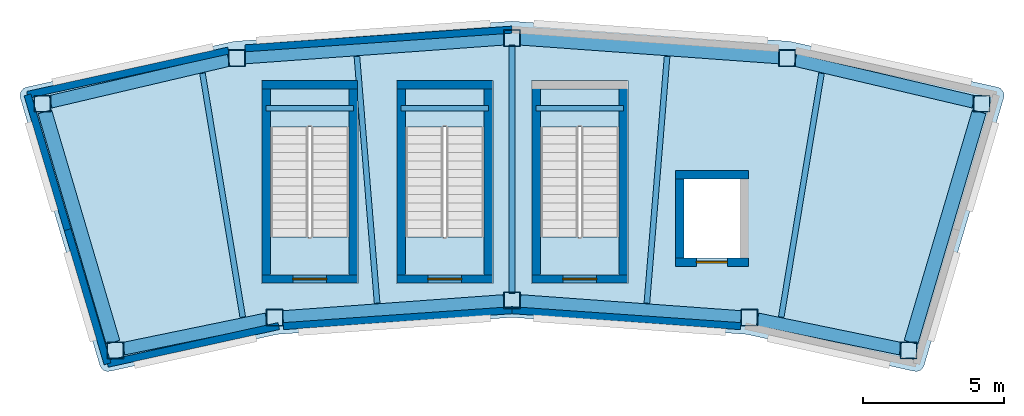
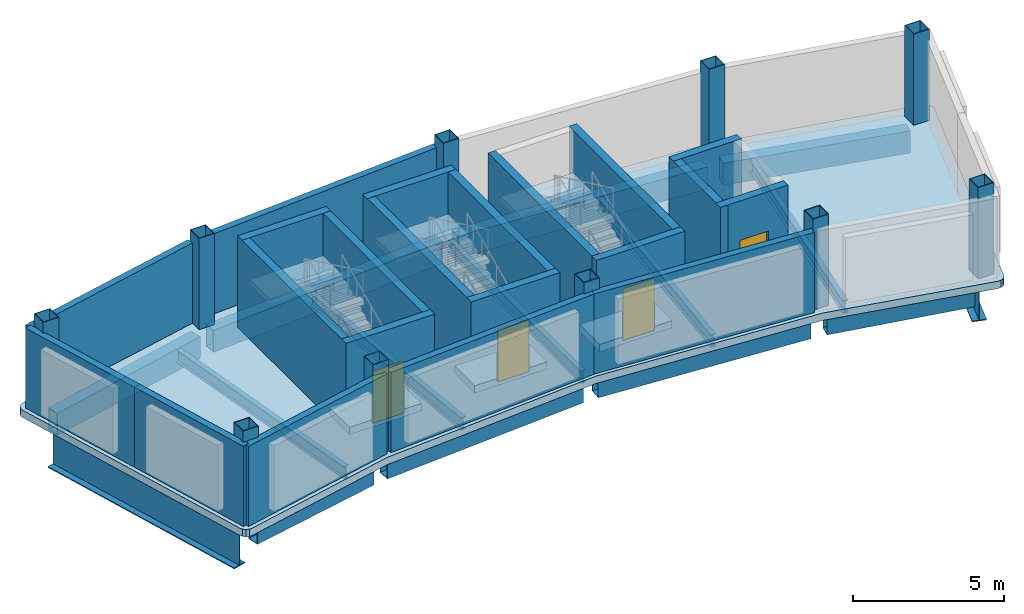
# One storey, part 1 of 3: 21 walls, 18 beams, 10 columns, 7 slabs, 4 doors, 4 openings, 3 elements without a shape of their own.
"""IFC4 building model written with IfcOpenShell, lengths in metres."""

import ifcopenshell
import ifcopenshell.guid

model = None  # the IFC model being written
_history = None  # IfcOwnerHistory: only IFC2X3 demands one
_inside = {}  # id of a spatial element -> (the spatial element, [elements in it])
_under = {}  # id of a project, library or spatial element -> (it, [spatial elements below it])
_declared = {}  # id of a project -> (the project, [libraries it declares])
_typed = {}  # id of a type object -> (the type object, [elements of that type])
_made_of = {}  # id of a material, layer set ... -> (it, [elements and type objects made of it])


def new_model(schema):
    """Start an empty IFC model of exactly this schema.

    Asked for "IFC4X3", IfcOpenShell would pick the latest addendum, in which some entities
    have other attributes; the version numbers below select the first issue.
    IFC2X3 requires an IfcOwnerHistory on every rooted entity: one is made here for all.
    """
    global model, _history
    if schema == "IFC4X3":
        model = ifcopenshell.file(schema_version=(4, 3, 0, 0))
    else:
        model = ifcopenshell.file(schema=schema)
    _inside.clear()
    _under.clear()
    _declared.clear()
    _typed.clear()
    _made_of.clear()
    _history = None
    if model.schema == "IFC2X3":
        org = make("IfcOrganization", Name="unknown")
        user = make(
            "IfcPersonAndOrganization",
            ThePerson=make("IfcPerson", FamilyName="unknown"),
            TheOrganization=org,
        )
        app = make(
            "IfcApplication",
            ApplicationDeveloper=org,
            Version="unknown",
            ApplicationFullName="unknown",
            ApplicationIdentifier="unknown",
        )
        _history = make(
            "IfcOwnerHistory",
            OwningUser=user,
            OwningApplication=app,
            ChangeAction="ADDED",
            CreationDate=0,
        )
    return model


def make(cls, **values):
    """One entity of the class cls with the attributes given. An attribute that is None is left unset."""
    return model.create_entity(
        cls, **{name: value for name, value in values.items() if value is not None}
    )


def rooted(cls, **values):
    """An entity with a GlobalId (a new one), such as an element, a storey or a relation."""
    return make(cls, GlobalId=ifcopenshell.guid.new(), OwnerHistory=_history, **values)


def si_unit(unit_type, name, prefix=None):
    """IfcSIUnit, for example si_unit("LENGTHUNIT", "METRE", prefix="MILLI")."""
    return make("IfcSIUnit", UnitType=unit_type, Prefix=prefix, Name=name)


def assignment(units):
    """IfcUnitAssignment: the units of a project."""
    return None if units is None else make("IfcUnitAssignment", Units=units)


def point(xyz):
    """IfcCartesianPoint."""
    return None if xyz is None else make("IfcCartesianPoint", Coordinates=xyz)


def direction(xyz):
    """IfcDirection."""
    return None if xyz is None else make("IfcDirection", DirectionRatios=xyz)


def frame(location, z_axis=None, x_axis=None):
    """IfcAxis2Placement3D, a coordinate frame: its origin and axes. An axis left out is left unset."""
    return make(
        "IfcAxis2Placement3D",
        Location=point(location),
        Axis=direction(z_axis),
        RefDirection=direction(x_axis),
    )


def frame_2d(location, x_axis=None):
    """IfcAxis2Placement2D, a coordinate frame in the plane: its origin and x axis."""
    return make(
        "IfcAxis2Placement2D", Location=point(location), RefDirection=direction(x_axis)
    )


def origin():
    """The frame at (0, 0, 0) with its axes left unset."""
    return frame((0.0, 0.0, 0.0))


def origin_2d():
    """The frame at (0, 0) in the plane with its x axis left unset."""
    return frame_2d((0.0, 0.0))


def place(relative_to, where):
    """IfcLocalPlacement: puts the frame where relative to a parent placement (None: the world)."""
    return make(
        "IfcLocalPlacement", PlacementRelTo=relative_to, RelativePlacement=where
    )


def context(
    kind, dimensions, precision=None, world=None, true_north=None, identifier=None
):
    """IfcGeometricRepresentationContext, for example the 3D "Model" context."""
    return make(
        "IfcGeometricRepresentationContext",
        ContextIdentifier=identifier,
        ContextType=kind,
        CoordinateSpaceDimension=dimensions,
        Precision=precision,
        WorldCoordinateSystem=world,
        TrueNorth=true_north,
    )


def subcontext(parent, identifier, kind, view, scale=None):
    """IfcGeometricRepresentationSubContext, for example "Body" below "Model"."""
    return make(
        "IfcGeometricRepresentationSubContext",
        ContextIdentifier=identifier,
        ContextType=kind,
        ParentContext=parent,
        TargetScale=scale,
        TargetView=view,
    )


def project(units=None, contexts=None):
    """IfcProject with its units and contexts."""
    return rooted(
        "IfcProject",
        Name="project",
        RepresentationContexts=contexts,
        UnitsInContext=assignment(units),
    )


def spatial(cls, under=None, at=None, **own):
    """A site, building, storey or space (cls), placed at a placement, below another one or the project."""
    s = rooted(cls, ObjectPlacement=at, **own)
    if under is not None:
        _under.setdefault(under.id(), (under, []))[1].append(s)
    return s


def polyline(points):
    """IfcPolyline through the points."""
    return make("IfcPolyline", Points=[point(p) for p in points])


def profile(cls, at=None, kind="AREA", **sizes):
    """A parametric profile (cls). Its sizes go by their IFC names, for example OverallWidth=200.0."""
    return make(cls, ProfileType=kind, Position=at, **sizes)


def rectangle(**sizes):
    """IfcRectangleProfileDef."""
    return profile("IfcRectangleProfileDef", **sizes)


def hollow_rectangle(**sizes):
    """IfcRectangleHollowProfileDef."""
    return profile("IfcRectangleHollowProfileDef", **sizes)


def i_section(**sizes):
    """IfcIShapeProfileDef."""
    return profile("IfcIShapeProfileDef", **sizes)


def outline(outer, holes=None, kind="AREA"):
    """IfcArbitraryClosedProfileDef: a profile drawn as a closed curve; with holes, ...WithVoids."""
    if holes is None:
        return make("IfcArbitraryClosedProfileDef", ProfileType=kind, OuterCurve=outer)
    return make(
        "IfcArbitraryProfileDefWithVoids",
        ProfileType=kind,
        OuterCurve=outer,
        InnerCurves=holes,
    )


def extrude(swept, where, along, depth):
    """IfcExtrudedAreaSolid: the profile swept, set in the frame where, extruded along a direction by depth."""
    return make(
        "IfcExtrudedAreaSolid",
        SweptArea=swept,
        Position=where,
        ExtrudedDirection=direction(along),
        Depth=depth,
    )


def shape(context_of_items, identifier, shape_type, items):
    """IfcShapeRepresentation: the items that make up one representation, for example the "Body"."""
    return make(
        "IfcShapeRepresentation",
        ContextOfItems=context_of_items,
        RepresentationIdentifier=identifier,
        RepresentationType=shape_type,
        Items=items,
    )


def material(Name=None, Category=None):
    """IfcMaterial."""
    return make("IfcMaterial", Name=Name, Category=Category)


def layer(
    of_material, thickness, ventilated=None, Name=None, Category=None, Priority=None
):
    """IfcMaterialLayer: one layer of a wall or slab, of a material (None: an air gap)."""
    return make(
        "IfcMaterialLayer",
        Material=of_material,
        LayerThickness=thickness,
        IsVentilated=ventilated,
        Name=Name,
        Category=Category,
        Priority=Priority,
    )


def layer_set(layers, Name=None):
    """IfcMaterialLayerSet."""
    return make("IfcMaterialLayerSet", MaterialLayers=layers, LayerSetName=Name)


def material_profile(
    of_material, cross_section, Name=None, Category=None, Priority=None
):
    """IfcMaterialProfile: a cross section and its material."""
    return make(
        "IfcMaterialProfile",
        Name=Name,
        Material=of_material,
        Profile=cross_section,
        Priority=Priority,
        Category=Category,
    )


def profile_set(profiles, Name=None, composite=None):
    """IfcMaterialProfileSet."""
    return make(
        "IfcMaterialProfileSet",
        Name=Name,
        MaterialProfiles=profiles,
        CompositeProfile=composite,
    )


def made_of(thing, what):
    """Note that an element or type object is made of a material, layer set ...; save() writes the relation."""
    if what is not None:
        _made_of.setdefault(what.id(), (what, []))[1].append(thing)
    return thing


def type_object(cls, material=None, **own):
    """A type object (cls), such as IfcWallType, which elements share."""
    return made_of(rooted(cls, **own), material)


def element(
    cls,
    number,
    at=None,
    inside=None,
    cuts=None,
    type_object=None,
    material=None,
    context=None,
    identifier="Body",
    shape_type=None,
    held_by="IfcProductDefinitionShape",
    body=None,
    shapes=None,
    **own,
):
    """One element of the class cls, such as IfcWall. Its Tag is "e" and its number.

    at: its placement. inside: the storey or other place that contains it. cuts: it is an
    opening in that element (IfcRelVoidsElement). A single representation is given by context,
    identifier, shape_type and body (its items); several are given by shapes. held_by: the class
    of the entity that holds the representations. save() writes the other relations.
    """
    e = rooted(cls, Tag="e%d" % number, ObjectPlacement=at, **own)
    if body is not None:
        shapes = [shape(context, identifier, shape_type, body)]
    if shapes is not None:
        e.Representation = make(held_by, Representations=shapes)
    if inside is not None:
        _inside.setdefault(inside.id(), (inside, []))[1].append(e)
    if cuts is not None:
        rooted(
            "IfcRelVoidsElement", RelatingBuildingElement=cuts, RelatedOpeningElement=e
        )
    if type_object is not None:
        _typed.setdefault(type_object.id(), (type_object, []))[1].append(e)
    return made_of(e, material)


def fill(opening, filler):
    """IfcRelFillsElement: the door or window that sits in an opening."""
    return rooted(
        "IfcRelFillsElement",
        RelatingOpeningElement=opening,
        RelatedBuildingElement=filler,
    )


def aggregate(whole, parts):
    """IfcRelAggregates: a whole, such as a stair, and the parts it consists of."""
    return rooted("IfcRelAggregates", RelatingObject=whole, RelatedObjects=parts)


def save(model, path):
    """Write the relations noted so far, then the file.

    IfcRelAggregates (storeys below a building ...), IfcRelContainedInSpatialStructure (elements
    in a storey), IfcRelDefinesByType, IfcRelAssociatesMaterial and IfcRelDeclares: one each for
    every whole, place, type object, material and project.
    """
    for whole, parts in _under.values():
        aggregate(whole, parts)
    for where, things in _inside.values():
        rooted(
            "IfcRelContainedInSpatialStructure",
            RelatedElements=things,
            RelatingStructure=where,
        )
    for kind, things in _typed.values():
        rooted("IfcRelDefinesByType", RelatedObjects=things, RelatingType=kind)
    for what, things in _made_of.values():
        rooted("IfcRelAssociatesMaterial", RelatedObjects=things, RelatingMaterial=what)
    for by, libraries in _declared.values():
        rooted("IfcRelDeclares", RelatingContext=by, RelatedDefinitions=libraries)
    model.write(path)


model = new_model("IFC4")

# Units and contexts
model_context = context("Model", 3, precision=1e-05, world=origin(), true_north=direction((0.0, 1.0)))
body_context = subcontext(model_context, "Body", "Model", "MODEL_VIEW")
ifc_project = project(units=[si_unit("LENGTHUNIT", "METRE"), si_unit("AREAUNIT", "SQUARE_METRE"), si_unit("VOLUMEUNIT", "CUBIC_METRE"), si_unit("PLANEANGLEUNIT", "RADIAN"), si_unit("MASSUNIT", "GRAM", prefix="KILO")], contexts=[model_context])

# Site, building, storey
site_placement = place(None, origin())
site = spatial("IfcSite", under=ifc_project, at=site_placement, CompositionType="ELEMENT")
building_placement = place(site_placement, origin())
building = spatial("IfcBuilding", under=site, at=building_placement, Name="Tuul Gate Civic Tower", CompositionType="ELEMENT")
storey_placement = place(building_placement, frame((0.0, 0.0, 380.10009765625)))
storey = spatial("IfcBuildingStorey", under=building, at=storey_placement, Name="Crown tier 3 upper", CompositionType="ELEMENT", Elevation=380.10009765625)

# Columns
ifc_material_1 = material(Name="Steel S355", Category="steel")
ifc_material_profile_1 = material_profile(ifc_material_1, hollow_rectangle(XDim=0.60009765625, YDim=0.60009765625, WallThickness=0.02490234375, at=origin_2d()), Name="BOX600x600x25")
ifc_profile_set_1 = profile_set([ifc_material_profile_1], Name="Steel S355")
column_type = type_object("IfcColumnType", Name="STR-COLUMN-BOX600x600x25", PredefinedType="COLUMN", material=ifc_profile_set_1)
for number, where, z_axis, x_axis, name in (
    (1, (18.885986328125, 5.48193359375, 0.0), (0.0, 0.0, 1.0), (1.0, 0.0, 0.0), "Column"),
    (2, (11.97509765625, 7.10302734375, 0.0), (0.0, 0.0, 1.0), (1.0, 0.0, 0.0), "Column"),
    (3, (2.19189453125, 7.81201171875, 0.0), (0.0, 0.0, 1.0), (1.0, 0.0, 0.0), "Column"),
    (4, (-7.591064453125, 7.10302734375, 0.0), (0.0, 0.0, 1.0), (1.0, 0.0, 0.0), "Column"),
    (5, (-14.501953125, 5.48193359375, 0.0), (0.0, 0.0, 1.0), (1.0, 0.0, 0.0), "Column"),
    (6, (-11.907958984375, -3.2890625, 0.0), (0.0, 0.0, 1.0), (1.0, 0.0, 0.0), "Column"),
    (7, (-6.2470703125, -2.1240234375, 0.0), (0.0, 0.0, 1.0), (1.0, 0.0, 0.0), "Column"),
    (8, (2.19189453125, -1.511962890625, 0.0), (0.0, 0.0, 1.0), (1.0, 0.0, 0.0), "Column"),
    (9, (10.631103515625, -2.1240234375, 0.0), (0.0, 0.0, 1.0), (1.0, 0.0, 0.0), "Column"),
    (10, (16.2919921875, -3.2890625, 0.0), (0.0, 0.0, 1.0), (1.0, 0.0, 0.0), "Column"),
):
    element("IfcColumn", number, at=place(storey_placement, frame(where, z_axis=z_axis, x_axis=x_axis)), inside=storey, type_object=column_type, Name=name, PredefinedType="COLUMN", context=body_context, shape_type="SweptSolid", body=[
        extrude(hollow_rectangle(XDim=0.60009765625, YDim=0.60009765625, WallThickness=0.02490234375, at=origin_2d()), origin(), (0.0, 0.0, 1.0), 3.699951171875),
    ])

# Beams
ifc_material_2 = material(Name="Steel S355", Category="steel")
ifc_material_profile_2 = material_profile(ifc_material_2, i_section(OverallWidth=0.199951171875, OverallDepth=0.5, WebThickness=0.010009765625, FlangeThickness=0.01611328125, at=origin_2d()), Name="PG500x200x10x16")
ifc_profile_set_2 = profile_set([ifc_material_profile_2], Name="Steel S355")
beam_type_1 = type_object("IfcBeamType", Name="STR-FLOOR BEAM-PG500x200x10x16", PredefinedType="BEAM", material=ifc_profile_set_2)
beam_1_placement = place(storey_placement, frame((11.765380859375, -2.102294921875, -0.550048828125), z_axis=(0.162955793567, 0.98663337129, 0.0), x_axis=(-0.98663337129, 0.162955793567, 0.0)))
element("IfcBeam", 11, at=beam_1_placement, inside=storey, type_object=beam_type_1, Name="Floor beam", PredefinedType="BEAM", context=body_context, shape_type="SweptSolid", body=[
    extrude(i_section(OverallWidth=0.199951171875, OverallDepth=0.5, WebThickness=0.010009765625, FlangeThickness=0.01611328125, at=origin_2d()), origin(), (0.0, 0.0, 1.0), 8.779541015625),
])
beam_2_placement = place(storey_placement, frame((6.987060546875, -1.609130859375, -0.550048828125), z_axis=(0.081729832132, 0.996654521156, 0.0), x_axis=(-0.996654521156, 0.081729832132, 0.0)))
element("IfcBeam", 12, at=beam_2_placement, inside=storey, type_object=beam_type_1, Name="Floor beam", PredefinedType="BEAM", context=body_context, shape_type="SweptSolid", body=[
    extrude(i_section(OverallWidth=0.199951171875, OverallDepth=0.5, WebThickness=0.010009765625, FlangeThickness=0.01611328125, at=origin_2d()), origin(), (0.0, 0.0, 1.0), 8.80029296875),
])
beam_3_placement = place(storey_placement, frame((2.19189453125, -1.26123046875, -0.550048828125), z_axis=(0.0, 1.0, 0.0), x_axis=(-1.0, 0.0, 0.0)))
element("IfcBeam", 13, at=beam_3_placement, inside=storey, type_object=beam_type_1, Name="Floor beam", PredefinedType="BEAM", context=body_context, shape_type="SweptSolid", body=[
    extrude(i_section(OverallWidth=0.199951171875, OverallDepth=0.5, WebThickness=0.010009765625, FlangeThickness=0.01611328125, at=origin_2d()), origin(), (0.0, 0.0, 1.0), 8.822509765625),
])
beam_4_placement = place(storey_placement, frame((-2.60302734375, -1.609130859375, -0.550048828125), z_axis=(-0.081729832132, 0.996654521156, 0.0), x_axis=(-0.996654521156, -0.081729832132, 0.0)))
element("IfcBeam", 14, at=beam_4_placement, inside=storey, type_object=beam_type_1, Name="Floor beam", PredefinedType="BEAM", context=body_context, shape_type="SweptSolid", body=[
    extrude(i_section(OverallWidth=0.199951171875, OverallDepth=0.5, WebThickness=0.010009765625, FlangeThickness=0.01611328125, at=origin_2d()), origin(), (0.0, 0.0, 1.0), 8.80029296875),
])
beam_5_placement = place(storey_placement, frame((-7.381591796875, -2.102294921875, -0.550048828125), z_axis=(-0.162928723661, 0.986637841868, 0.0), x_axis=(-0.986637841868, -0.162928723661, 0.0)))
element("IfcBeam", 15, at=beam_5_placement, inside=storey, type_object=beam_type_1, Name="Floor beam", PredefinedType="BEAM", context=body_context, shape_type="SweptSolid", body=[
    extrude(i_section(OverallWidth=0.199951171875, OverallDepth=0.5, WebThickness=0.010009765625, FlangeThickness=0.01611328125, at=origin_2d()), origin(), (0.0, 0.0, 1.0), 8.779541015625),
])
for number, where, z_axis, x_axis, name in (
    (16, (-6.550048828125, 5.324951171875, 1.5498046875), (1.0, 0.0, 0.0), (0.0, 1.0, 0.0), "Landing support beam"),
    (17, (-1.75, 5.324951171875, 1.5498046875), (1.0, 0.0, 0.0), (0.0, 1.0, 0.0), "Landing support beam"),
):
    element("IfcBeam", number, at=place(storey_placement, frame(where, z_axis=z_axis, x_axis=x_axis)), inside=storey, type_object=beam_type_1, Name=name, PredefinedType="BEAM", context=body_context, shape_type="SweptSolid", body=[
        extrude(i_section(OverallWidth=0.199951171875, OverallDepth=0.5, WebThickness=0.010009765625, FlangeThickness=0.01611328125, at=origin_2d()), origin(), (0.0, 0.0, 1.0), 3.10009765625),
    ])
beam_6_placement = place(storey_placement, frame((3.050048828125, 5.324951171875, 1.5498046875), z_axis=(1.0, 0.0, 0.0), x_axis=(0.0, 1.0, 0.0)))
element("IfcBeam", 18, at=beam_6_placement, inside=storey, type_object=beam_type_1, Name="Landing support beam", PredefinedType="BEAM", context=body_context, shape_type="SweptSolid", body=[
    extrude(i_section(OverallWidth=0.199951171875, OverallDepth=0.5, WebThickness=0.010009765625, FlangeThickness=0.01611328125, at=origin_2d()), origin(), (0.0, 0.0, 1.0), 3.099853515625),
])
ifc_material_3 = material(Name="Steel S355", Category="steel")
ifc_material_profile_3 = material_profile(ifc_material_3, i_section(OverallWidth=0.5, OverallDepth=1.89990234375, WebThickness=0.02490234375, FlangeThickness=0.0400390625, at=origin_2d()), Name="PG1900x500x25x40")
ifc_profile_set_3 = profile_set([ifc_material_profile_3], Name="Steel S355")
beam_type_2 = type_object("IfcBeamType", Name="STR-RING BEAM-PG1900x500x25x40", PredefinedType="BEAM", material=ifc_profile_set_3)
for number, where, z_axis, x_axis, name in (
    (19, (-14.4169921875, 5.1943359375, -1.25), (0.283605873286, -0.958940930734, 0.0), (0.958940930734, 0.283605873286, 0.0), "Spandrel beam"),
    (20, (16.377197265625, -3.001220703125, -1.25), (0.283605873286, 0.958940930734, 0.0), (-0.958940930734, 0.283605873286, 0.0), "Spandrel beam"),
):
    element("IfcBeam", number, at=place(storey_placement, frame(where, z_axis=z_axis, x_axis=x_axis)), inside=storey, type_object=beam_type_2, Name=name, PredefinedType="BEAM", context=body_context, shape_type="SweptSolid", body=[
        extrude(i_section(OverallWidth=0.5, OverallDepth=1.89990234375, WebThickness=0.02490234375, FlangeThickness=0.0400390625, at=origin_2d()), origin(), (0.0, 0.0, 1.0), 8.54638671875),
    ])
ifc_material_4 = material(Name="Steel S355", Category="steel")
ifc_material_profile_4 = material_profile(ifc_material_4, hollow_rectangle(XDim=0.449951171875, YDim=0.89990234375, WallThickness=0.02490234375, at=origin_2d()), Name="BOX900x450x25")
ifc_profile_set_4 = profile_set([ifc_material_profile_4], Name="Steel S355")
beam_type_3 = type_object("IfcBeamType", Name="STR-SPANDREL BEAM-BOX900x450x25", PredefinedType="BEAM", material=ifc_profile_set_4)
beam_7_placement = place(storey_placement, frame((18.593994140625, 5.550537109375, -0.75), z_axis=(-0.973581478384, 0.228339889084, 0.0), x_axis=(-0.228339889084, -0.973581478384, 0.0)))
element("IfcBeam", 21, at=beam_7_placement, inside=storey, type_object=beam_type_3, Name="Spandrel beam", PredefinedType="BEAM", context=body_context, shape_type="SweptSolid", body=[
    extrude(hollow_rectangle(XDim=0.449951171875, YDim=0.89990234375, WallThickness=0.02490234375, at=origin_2d()), origin(), (0.0, 0.0, 1.0), 6.49853515625),
])
for number, where, z_axis, x_axis, name in (
    (22, (11.67578125, 7.124755859375, -0.75), (-0.997384962166, 0.072271967221, 0.0), (-0.072271967221, -0.997384962166, 0.0), "Spandrel beam"),
    (23, (1.892822265625, 7.790283203125, -0.75), (-0.997384962166, -0.072271967221, 0.0), (0.072271967221, -0.997384962166, 0.0), "Spandrel beam"),
):
    element("IfcBeam", number, at=place(storey_placement, frame(where, z_axis=z_axis, x_axis=x_axis)), inside=storey, type_object=beam_type_3, Name=name, PredefinedType="BEAM", context=body_context, shape_type="SweptSolid", body=[
        extrude(hollow_rectangle(XDim=0.449951171875, YDim=0.89990234375, WallThickness=0.02490234375, at=origin_2d()), origin(), (0.0, 0.0, 1.0), 9.208740234375),
    ])
beam_8_placement = place(storey_placement, frame((-7.883056640625, 7.034423828125, -0.75), z_axis=(-0.973581478384, -0.228339889084, 0.0), x_axis=(0.228339889084, -0.973581478384, 0.0)))
element("IfcBeam", 24, at=beam_8_placement, inside=storey, type_object=beam_type_3, Name="Spandrel beam", PredefinedType="BEAM", context=body_context, shape_type="SweptSolid", body=[
    extrude(hollow_rectangle(XDim=0.449951171875, YDim=0.89990234375, WallThickness=0.02490234375, at=origin_2d()), origin(), (0.0, 0.0, 1.0), 6.49853515625),
])
beam_9_placement = place(storey_placement, frame((-11.6142578125, -3.228515625, -0.75), z_axis=(0.979479762781, 0.201542537205, 0.0), x_axis=(-0.201542537205, 0.979479762781, 0.0)))
element("IfcBeam", 25, at=beam_9_placement, inside=storey, type_object=beam_type_3, Name="Spandrel beam", PredefinedType="BEAM", context=body_context, shape_type="SweptSolid", body=[
    extrude(hollow_rectangle(XDim=0.449951171875, YDim=0.89990234375, WallThickness=0.02490234375, at=origin_2d()), origin(), (0.0, 0.0, 1.0), 5.1796875),
])
for number, where, z_axis, x_axis, name in (
    (26, (-5.94775390625, -2.102294921875, -0.75), (0.997380706293, 0.072330676162, 0.0), (-0.072330676162, 0.997380706293, 0.0), "Spandrel beam"),
    (27, (2.4912109375, -1.53369140625, -0.75), (0.997380706293, -0.072330676162, 0.0), (0.072330676162, 0.997380706293, 0.0), "Spandrel beam"),
):
    element("IfcBeam", number, at=place(storey_placement, frame(where, z_axis=z_axis, x_axis=x_axis)), inside=storey, type_object=beam_type_3, Name=name, PredefinedType="BEAM", context=body_context, shape_type="SweptSolid", body=[
        extrude(hollow_rectangle(XDim=0.449951171875, YDim=0.89990234375, WallThickness=0.02490234375, at=origin_2d()), origin(), (0.0, 0.0, 1.0), 7.861083984375),
    ])
beam_10_placement = place(storey_placement, frame((10.9248046875, -2.1845703125, -0.75), z_axis=(0.979477848117, -0.201551842086, 0.0), x_axis=(0.201551842086, 0.979477848117, 0.0)))
element("IfcBeam", 28, at=beam_10_placement, inside=storey, type_object=beam_type_3, Name="Spandrel beam", PredefinedType="BEAM", context=body_context, shape_type="SweptSolid", body=[
    extrude(hollow_rectangle(XDim=0.449951171875, YDim=0.89990234375, WallThickness=0.02490234375, at=origin_2d()), origin(), (0.0, 0.0, 1.0), 5.179443359375),
])

# Stair, slab
ifc_material_5 = material(Name="Concrete C40/50", Category="concrete")
stair_type = type_object("IfcStairType", Name="Exit stair", PredefinedType="HALF_TURN_STAIR", material=ifc_material_5)
stair_1_placement = place(storey_placement, origin())
stair_1 = element("IfcStair", 29, at=stair_1_placement, inside=storey, type_object=stair_type, Name="Crown tier 3 upper ST-5", PredefinedType="HALF_TURN_STAIR")
ifc_material_6 = material(Name="Concrete C40/50", Category="concrete")
ifc_layer_1 = layer(ifc_material_6, 0.199951171875)
ifc_layer_set_1 = layer_set([ifc_layer_1], Name="Concrete C40/50")
slab_type_1 = type_object("IfcSlabType", Name="Exit stair landing", PredefinedType="LANDING", material=ifc_layer_set_1)
slab_1_placement = place(storey_placement, frame((0.0, 0.0, 1.7998046875)))
slab_1 = element("IfcSlab", 30, at=slab_1_placement, type_object=slab_type_1, Name="ST-5 landing 1", PredefinedType="LANDING", context=body_context, shape_type="SweptSolid", body=[
    extrude(outline(polyline([(-3.59912109375, 4.649169921875), (-6.40087890625, 4.649169921875), (-6.40087890625, 6.000732421875), (-3.59912109375, 6.000732421875), (-3.59912109375, 4.649169921875)])), origin(), (0.0, 0.0, 1.0), 0.2001953125),
])
aggregate(stair_1, [slab_1])

stair_2_placement = place(storey_placement, origin())
stair_2 = element("IfcStair", 31, at=stair_2_placement, inside=storey, type_object=stair_type, Name="Crown tier 3 upper ST-6", PredefinedType="HALF_TURN_STAIR")
slab_2_placement = place(storey_placement, frame((0.0, 0.0, 1.7998046875)))
slab_2 = element("IfcSlab", 32, at=slab_2_placement, type_object=slab_type_1, Name="ST-6 landing 1", PredefinedType="LANDING", context=body_context, shape_type="SweptSolid", body=[
    extrude(outline(polyline([(1.20068359375, 4.649169921875), (-1.600830078125, 4.649169921875), (-1.600830078125, 6.000732421875), (1.20068359375, 6.000732421875), (1.20068359375, 4.649169921875)])), origin(), (0.0, 0.0, 1.0), 0.2001953125),
])
aggregate(stair_2, [slab_2])

stair_3_placement = place(storey_placement, origin())
stair_3 = element("IfcStair", 33, at=stair_3_placement, inside=storey, type_object=stair_type, Name="Crown tier 3 upper ST-7", PredefinedType="HALF_TURN_STAIR")
slab_3_placement = place(storey_placement, frame((0.0, 0.0, 1.7998046875)))
slab_3 = element("IfcSlab", 34, at=slab_3_placement, type_object=slab_type_1, Name="ST-7 landing 1", PredefinedType="LANDING", context=body_context, shape_type="SweptSolid", body=[
    extrude(outline(polyline([(6.000732421875, 4.649169921875), (3.19921875, 4.649169921875), (3.19921875, 6.000732421875), (6.000732421875, 6.000732421875), (6.000732421875, 4.649169921875)])), origin(), (0.0, 0.0, 1.0), 0.2001953125),
])
aggregate(stair_3, [slab_3])

# Slabs
ifc_material_7 = material(Name="Concrete C35/45", Category="concrete")
ifc_layer_2 = layer(ifc_material_7, 0.300048828125)
ifc_layer_set_2 = layer_set([ifc_layer_2], Name="Concrete C35/45")
slab_type_2 = type_object("IfcSlabType", Name="STR-FLOOR-SLAB-300", PredefinedType="FLOOR", material=ifc_layer_set_2)
slab_4_placement = place(storey_placement, frame((0.0, 0.0, -0.300048828125)))
element("IfcSlab", 35, at=slab_4_placement, inside=storey, type_object=slab_type_2, Name="Crown tier 3 upper/slab/M", PredefinedType="FLOOR", context=body_context, shape_type="SweptSolid", body=[
    extrude(outline(polyline([(16.7919921875, -3.9208984375), (16.843017578125, -3.822021484375), (19.674072265625, 5.69189453125), (19.68408203125, 5.81298828125), (19.64501953125, 5.928955078125), (19.56298828125, 6.02001953125), (19.450927734375, 6.070068359375), (12.06103515625, 7.698974609375), (2.19189453125, 8.4140625), (-7.677001953125, 7.698974609375), (-15.06689453125, 6.070068359375), (-15.178955078125, 6.02001953125), (-15.260986328125, 5.928955078125), (-15.300048828125, 5.81298828125), (-15.2900390625, 5.69189453125), (-12.458984375, -3.822021484375), (-12.407958984375, -3.9208984375), (-12.323974609375, -3.9951171875), (-12.218994140625, -4.032958984375), (-12.10693359375, -4.030029296875), (-6.159912109375, -2.718994140625), (2.19189453125, -2.114013671875), (10.5439453125, -2.718994140625), (16.490966796875, -4.030029296875), (16.60302734375, -4.032958984375), (16.7080078125, -3.9951171875), (16.7919921875, -3.9208984375)]), holes=[polyline([(10.300048828125, 0.0), (8.300048828125, 0.0), (8.300048828125, 2.800048828125), (10.300048828125, 2.800048828125), (10.300048828125, 0.0)]), polyline([(-6.7099609375, -0.909912109375), (-6.7099609375, 6.31005859375), (-3.2900390625, 6.31005859375), (-3.2900390625, -0.909912109375), (-6.7099609375, -0.909912109375)]), polyline([(-1.909912109375, -0.909912109375), (-1.909912109375, 6.31005859375), (1.510009765625, 6.31005859375), (1.510009765625, -0.909912109375), (-1.909912109375, -0.909912109375)]), polyline([(2.889892578125, -0.909912109375), (2.889892578125, 6.31005859375), (6.31005859375, 6.31005859375), (6.31005859375, -0.909912109375), (2.889892578125, -0.909912109375)])]), origin(), (0.0, 0.0, 1.0), 0.300048828125),
])
slab_5_placement = place(storey_placement, frame((0.0, 0.0, -0.300048828125)))
element("IfcSlab", 36, at=slab_5_placement, inside=storey, type_object=slab_type_2, Name="Crown tier 3 upper/slab/M2", PredefinedType="FLOOR", context=body_context, shape_type="SweptSolid", body=[
    extrude(outline(polyline([(-3.610107421875, 0.75), (-6.389892578125, 0.75), (-6.389892578125, -0.590087890625), (-3.610107421875, -0.590087890625), (-3.610107421875, 0.75)])), origin(), (0.0, 0.0, 1.0), 0.300048828125),
])
slab_6_placement = place(storey_placement, frame((0.0, 0.0, -0.300048828125)))
element("IfcSlab", 37, at=slab_6_placement, inside=storey, type_object=slab_type_2, Name="Crown tier 3 upper/slab/M3", PredefinedType="FLOOR", context=body_context, shape_type="SweptSolid", body=[
    extrude(outline(polyline([(1.18994140625, 0.75), (-1.590087890625, 0.75), (-1.590087890625, -0.590087890625), (1.18994140625, -0.590087890625), (1.18994140625, 0.75)])), origin(), (0.0, 0.0, 1.0), 0.300048828125),
])
slab_7_placement = place(storey_placement, frame((0.0, 0.0, -0.300048828125)))
element("IfcSlab", 38, at=slab_7_placement, inside=storey, type_object=slab_type_2, Name="Crown tier 3 upper/slab/M4", PredefinedType="FLOOR", context=body_context, shape_type="SweptSolid", body=[
    extrude(outline(polyline([(3.2099609375, 0.75), (3.2099609375, -0.590087890625), (5.989990234375, -0.590087890625), (5.989990234375, 0.75), (3.2099609375, 0.75)])), origin(), (0.0, 0.0, 1.0), 0.300048828125),
])

# Walls
ifc_material_8 = material(Name="Concrete C50/60", Category="concrete")
ifc_layer_3 = layer(ifc_material_8, 0.300048828125)
ifc_layer_set_3 = layer_set([ifc_layer_3], Name="Concrete C50/60")
wall_type_1 = type_object("IfcWallType", Name="Core wall C50/60", PredefinedType="SHEAR", material=ifc_layer_set_3)
for number, where, z_axis, x_axis, name in (
    (39, (-3.449951171875, -0.89990234375, -0.300048828125), (0.0, 0.0, 1.0), (0.0, 1.0, 0.0), "Core wall"),
    (40, (-6.550048828125, 6.300048828125, -0.300048828125), (0.0, 0.0, 1.0), (0.0, -1.0, 0.0), "Core wall"),
):
    element("IfcWall", number, at=place(storey_placement, frame(where, z_axis=z_axis, x_axis=x_axis)), inside=storey, type_object=wall_type_1, Name=name, PredefinedType="SHEAR", context=body_context, shape_type="SweptSolid", body=[
        extrude(rectangle(XDim=7.199951171875, YDim=0.300048828125, at=frame_2d((3.60009765625, 0.0))), origin(), (0.0, 0.0, 1.0), 4.0),
    ])
wall_1_placement = place(storey_placement, frame((-3.300048828125, 6.14990234375, -0.300048828125), z_axis=(0.0, 0.0, 1.0), x_axis=(-1.0, 0.0, 0.0)))
element("IfcWall", 41, at=wall_1_placement, inside=storey, type_object=wall_type_1, Name="Core wall", PredefinedType="SHEAR", context=body_context, shape_type="SweptSolid", body=[
    extrude(rectangle(XDim=3.39990234375, YDim=0.300048828125, at=frame_2d((1.699951171875, 0.0))), origin(), (0.0, 0.0, 1.0), 4.0),
])

# Wall, opening, door
wall_2_placement = place(storey_placement, frame((-3.300048828125, -0.75, -0.300048828125), z_axis=(0.0, 0.0, 1.0), x_axis=(-1.0, 0.0, 0.0)))
wall_2 = element("IfcWall", 42, at=wall_2_placement, inside=storey, type_object=wall_type_1, Name="Core wall", PredefinedType="SHEAR", context=body_context, shape_type="SweptSolid", body=[
    extrude(rectangle(XDim=3.39990234375, YDim=0.300048828125, at=frame_2d((1.699951171875, 0.0))), origin(), (0.0, 0.0, 1.0), 4.0),
])
opening_1_placement = place(wall_2_placement, frame((1.10009765625, 0.0, 0.300048828125)))
opening_1 = element("IfcOpeningElement", 43, at=opening_1_placement, cuts=wall_2, Name="Opening SD-ST-5", PredefinedType="OPENING", context=body_context, shape_type="SweptSolid", body=[
    extrude(rectangle(XDim=1.199951171875, YDim=2.10009765625, at=frame_2d((0.60009765625, 1.050048828125))), frame((0.0, 0.16015625, 0.0), z_axis=(0.0, -1.0, 0.0), x_axis=(1.0, 0.0, 0.0)), (0.0, 0.0, 1.0), 0.320068359375),
])
ifc_material_9 = material(Name="Steel", Category="steel")
door_type_1 = type_object("IfcDoorType", Name="Stair door", OperationType="NOTDEFINED", PredefinedType="DOOR", material=ifc_material_9)
door_1_placement = place(opening_1_placement, origin())
door_1 = element("IfcDoor", 44, at=door_1_placement, inside=storey, type_object=door_type_1, Name="Stair door ST-5", OperationType="SINGLE_SWING_LEFT", OverallHeight=2.10009765625, OverallWidth=1.199951171875, PredefinedType="DOOR", context=body_context, shape_type="SweptSolid", body=[
    extrude(rectangle(XDim=1.199951171875, YDim=2.10009765625, at=frame_2d((0.60009765625, 1.050048828125))), frame((0.0, 0.02490234375, 0.0), z_axis=(0.0, -1.0, 0.0), x_axis=(1.0, 0.0, 0.0)), (0.0, 0.0, 1.0), 0.050048828125),
])
fill(opening_1, door_1)

# Walls
for number, where, z_axis, x_axis, name in (
    (45, (1.35009765625, -0.89990234375, -0.300048828125), (0.0, 0.0, 1.0), (0.0, 1.0, 0.0), "Core wall"),
    (46, (-1.75, 6.300048828125, -0.300048828125), (0.0, 0.0, 1.0), (0.0, -1.0, 0.0), "Core wall"),
):
    element("IfcWall", number, at=place(storey_placement, frame(where, z_axis=z_axis, x_axis=x_axis)), inside=storey, type_object=wall_type_1, Name=name, PredefinedType="SHEAR", context=body_context, shape_type="SweptSolid", body=[
        extrude(rectangle(XDim=7.199951171875, YDim=0.300048828125, at=frame_2d((3.60009765625, 0.0))), origin(), (0.0, 0.0, 1.0), 4.0),
    ])
wall_3_placement = place(storey_placement, frame((1.5, 6.14990234375, -0.300048828125), z_axis=(0.0, 0.0, 1.0), x_axis=(-1.0, 0.0, 0.0)))
element("IfcWall", 47, at=wall_3_placement, inside=storey, type_object=wall_type_1, Name="Core wall", PredefinedType="SHEAR", context=body_context, shape_type="SweptSolid", body=[
    extrude(rectangle(XDim=3.39990234375, YDim=0.300048828125, at=frame_2d((1.699951171875, 0.0))), origin(), (0.0, 0.0, 1.0), 4.0),
])

# Wall, opening, door
wall_4_placement = place(storey_placement, frame((1.5, -0.75, -0.300048828125), z_axis=(0.0, 0.0, 1.0), x_axis=(-1.0, 0.0, 0.0)))
wall_4 = element("IfcWall", 48, at=wall_4_placement, inside=storey, type_object=wall_type_1, Name="Core wall", PredefinedType="SHEAR", context=body_context, shape_type="SweptSolid", body=[
    extrude(rectangle(XDim=3.39990234375, YDim=0.300048828125, at=frame_2d((1.699951171875, 0.0))), origin(), (0.0, 0.0, 1.0), 4.0),
])
opening_2_placement = place(wall_4_placement, frame((1.10009765625, 0.0, 0.300048828125)))
opening_2 = element("IfcOpeningElement", 49, at=opening_2_placement, cuts=wall_4, Name="Opening SD-ST-6", PredefinedType="OPENING", context=body_context, shape_type="SweptSolid", body=[
    extrude(rectangle(XDim=1.199951171875, YDim=2.10009765625, at=frame_2d((0.60009765625, 1.050048828125))), frame((0.0, 0.16015625, 0.0), z_axis=(0.0, -1.0, 0.0), x_axis=(1.0, 0.0, 0.0)), (0.0, 0.0, 1.0), 0.320068359375),
])
door_2_placement = place(opening_2_placement, frame((1.199951171875, 0.0, 0.0), z_axis=(0.0, 0.0, 1.0), x_axis=(-1.0, 0.0, 0.0)))
door_2 = element("IfcDoor", 50, at=door_2_placement, inside=storey, type_object=door_type_1, Name="Stair door ST-6", OperationType="SINGLE_SWING_RIGHT", OverallHeight=2.10009765625, OverallWidth=1.199951171875, PredefinedType="DOOR", context=body_context, shape_type="SweptSolid", body=[
    extrude(rectangle(XDim=1.199951171875, YDim=2.10009765625, at=frame_2d((0.599853515625, 1.050048828125))), frame((0.0, 0.02490234375, 0.0), z_axis=(0.0, -1.0, 0.0), x_axis=(1.0, 0.0, 0.0)), (0.0, 0.0, 1.0), 0.050048828125),
])
fill(opening_2, door_2)

# Walls
for number, where, z_axis, x_axis, name in (
    (51, (6.14990234375, -0.89990234375, -0.300048828125), (0.0, 0.0, 1.0), (0.0, 1.0, 0.0), "Core wall"),
    (52, (3.050048828125, 6.300048828125, -0.300048828125), (0.0, 0.0, 1.0), (0.0, -1.0, 0.0), "Core wall"),
):
    element("IfcWall", number, at=place(storey_placement, frame(where, z_axis=z_axis, x_axis=x_axis)), inside=storey, type_object=wall_type_1, Name=name, PredefinedType="SHEAR", context=body_context, shape_type="SweptSolid", body=[
        extrude(rectangle(XDim=7.199951171875, YDim=0.300048828125, at=frame_2d((3.60009765625, 0.0))), origin(), (0.0, 0.0, 1.0), 4.0),
    ])

# Wall, opening, door
wall_5_placement = place(storey_placement, frame((6.300048828125, -0.75, -0.300048828125), z_axis=(0.0, 0.0, 1.0), x_axis=(-1.0, 0.0, 0.0)))
wall_5 = element("IfcWall", 53, at=wall_5_placement, inside=storey, type_object=wall_type_1, Name="Core wall", PredefinedType="SHEAR", context=body_context, shape_type="SweptSolid", body=[
    extrude(rectangle(XDim=3.400146484375, YDim=0.300048828125, at=frame_2d((1.7001953125, 0.0))), origin(), (0.0, 0.0, 1.0), 4.0),
])
opening_3_placement = place(wall_5_placement, frame((1.10009765625, 0.0, 0.300048828125)))
opening_3 = element("IfcOpeningElement", 54, at=opening_3_placement, cuts=wall_5, Name="Opening SD-ST-7", PredefinedType="OPENING", context=body_context, shape_type="SweptSolid", body=[
    extrude(rectangle(XDim=1.199951171875, YDim=2.10009765625, at=frame_2d((0.60009765625, 1.050048828125))), frame((0.0, 0.16015625, 0.0), z_axis=(0.0, -1.0, 0.0), x_axis=(1.0, 0.0, 0.0)), (0.0, 0.0, 1.0), 0.320068359375),
])
door_3_placement = place(opening_3_placement, frame((1.199951171875, 0.0, 0.0), z_axis=(0.0, 0.0, 1.0), x_axis=(-1.0, 0.0, 0.0)))
door_3 = element("IfcDoor", 55, at=door_3_placement, inside=storey, type_object=door_type_1, Name="Stair door ST-7", OperationType="SINGLE_SWING_RIGHT", OverallHeight=2.10009765625, OverallWidth=1.199951171875, PredefinedType="DOOR", context=body_context, shape_type="SweptSolid", body=[
    extrude(rectangle(XDim=1.199951171875, YDim=2.10009765625, at=frame_2d((0.599853515625, 1.050048828125))), frame((0.0, 0.02490234375, 0.0), z_axis=(0.0, -1.0, 0.0), x_axis=(1.0, 0.0, 0.0)), (0.0, 0.0, 1.0), 0.050048828125),
])
fill(opening_3, door_3)

# Walls
wall_6_placement = place(storey_placement, frame((8.14990234375, 3.10009765625, 0.0), z_axis=(0.0, 0.0, 1.0), x_axis=(0.0, -1.0, 0.0)))
element("IfcWall", 56, at=wall_6_placement, inside=storey, type_object=wall_type_1, Name="Core wall", PredefinedType="SHEAR", context=body_context, shape_type="SweptSolid", body=[
    extrude(rectangle(XDim=3.400146484375, YDim=0.300048828125, at=frame_2d((1.7001953125, 0.0))), origin(), (0.0, 0.0, 1.0), 3.699951171875),
])
wall_7_placement = place(storey_placement, frame((10.60009765625, 2.949951171875, 0.0), z_axis=(0.0, 0.0, 1.0), x_axis=(-1.0, 0.0, 0.0)))
element("IfcWall", 57, at=wall_7_placement, inside=storey, type_object=wall_type_1, Name="Core wall", PredefinedType="SHEAR", context=body_context, shape_type="SweptSolid", body=[
    extrude(rectangle(XDim=2.60009765625, YDim=0.300048828125, at=frame_2d((1.300048828125, 0.0))), origin(), (0.0, 0.0, 1.0), 3.699951171875),
])

# Wall, opening, door
wall_8_placement = place(storey_placement, frame((10.60009765625, -0.14990234375, 0.0), z_axis=(0.0, 0.0, 1.0), x_axis=(-1.0, 0.0, 0.0)))
wall_8 = element("IfcWall", 58, at=wall_8_placement, inside=storey, type_object=wall_type_1, Name="Core wall", PredefinedType="SHEAR", context=body_context, shape_type="SweptSolid", body=[
    extrude(rectangle(XDim=2.60009765625, YDim=0.300048828125, at=frame_2d((1.300048828125, 0.0))), origin(), (0.0, 0.0, 1.0), 3.699951171875),
])
opening_4_placement = place(wall_8_placement, frame((0.75, 0.0, 0.0)))
opening_4 = element("IfcOpeningElement", 59, at=opening_4_placement, cuts=wall_8, Name="Opening LD-X4", PredefinedType="OPENING", context=body_context, shape_type="SweptSolid", body=[
    extrude(rectangle(XDim=1.10009765625, YDim=2.10009765625, at=frame_2d((0.550048828125, 1.050048828125))), frame((0.0, 0.16015625, 0.0), z_axis=(0.0, -1.0, 0.0), x_axis=(1.0, 0.0, 0.0)), (0.0, 0.0, 1.0), 0.320068359375),
])
ifc_material_10 = material(Name="Stainless steel", Category="steel")
door_type_2 = type_object("IfcDoorType", Name="Landing door", OperationType="DOUBLE_DOOR_SLIDING", PredefinedType="DOOR", material=ifc_material_10)
door_4_placement = place(opening_4_placement, origin())
door_4 = element("IfcDoor", 60, at=door_4_placement, inside=storey, type_object=door_type_2, Name="Crown lift X4 landing door", OperationType="DOUBLE_DOOR_SLIDING", OverallHeight=2.10009765625, OverallWidth=1.10009765625, PredefinedType="DOOR", context=body_context, shape_type="SweptSolid", body=[
    extrude(rectangle(XDim=1.10009765625, YDim=2.10009765625, at=frame_2d((0.550048828125, 1.050048828125))), frame((0.0, 0.02490234375, 0.0), z_axis=(0.0, -1.0, 0.0), x_axis=(1.0, 0.0, 0.0)), (0.0, 0.0, 1.0), 0.050048828125),
])
fill(opening_4, door_4)

# Walls
ifc_material_11 = material(Name="Precast concrete C40/50", Category="concrete")
ifc_layer_4 = layer(ifc_material_11, 0.25)
ifc_layer_set_4 = layer_set([ifc_layer_4], Name="Precast concrete C40/50")
wall_type_2 = type_object("IfcWallType", Name="External wall", PredefinedType="STANDARD", material=ifc_layer_set_4)
wall_9_placement = place(storey_placement, frame((2.19189453125, 8.115234375, 0.0), z_axis=(0.0, 0.0, 1.0), x_axis=(-0.997557035332, -0.069856719506, 0.0)))
element("IfcWall", 61, at=wall_9_placement, inside=storey, type_object=wall_type_2, Name="External wall", PredefinedType="STANDARD", context=body_context, shape_type="SweptSolid", body=[
    extrude(rectangle(XDim=9.509521484375, YDim=0.25, at=frame_2d((4.7548828125, 0.0))), origin(), (0.0, 0.0, 1.0), 3.25),
])
wall_10_placement = place(storey_placement, frame((-7.89111328125, 7.3701171875, 0.0), z_axis=(0.0, 0.0, 1.0), x_axis=(-0.976548548594, -0.215297311267, 0.0)))
element("IfcWall", 62, at=wall_10_placement, inside=storey, type_object=wall_type_2, Name="External wall", PredefinedType="STANDARD", context=body_context, shape_type="SweptSolid", body=[
    extrude(rectangle(XDim=7.314208984375, YDim=0.25, at=frame_2d((3.6572265625, 0.0))), origin(), (0.0, 0.0, 1.0), 3.25),
])
wall_11_placement = place(storey_placement, frame((-15.03369140625, 5.79541015625, 0.0), z_axis=(0.0, 0.0, 1.0), x_axis=(0.285183646832, -0.958472893503, 0.0)))
element("IfcWall", 63, at=wall_11_placement, inside=storey, type_object=wall_type_2, Name="External wall", PredefinedType="STANDARD", context=body_context, shape_type="SweptSolid", body=[
    extrude(rectangle(XDim=5.00048828125, YDim=0.25, at=frame_2d((2.500244140625, 0.0))), origin(), (0.0, 0.0, 1.0), 3.25),
])
wall_12_placement = place(storey_placement, frame((-13.607666015625, 1.002685546875, 0.0), z_axis=(0.0, 0.0, 1.0), x_axis=(0.285159141508, -0.958480184466, 0.0)))
element("IfcWall", 64, at=wall_12_placement, inside=storey, type_object=wall_type_2, Name="External wall", PredefinedType="STANDARD", context=body_context, shape_type="SweptSolid", body=[
    extrude(rectangle(XDim=4.97509765625, YDim=0.25, at=frame_2d((2.487548828125, 0.0))), origin(), (0.0, 0.0, 1.0), 3.25),
])
wall_13_placement = place(storey_placement, frame((-12.18896484375, -3.765869140625, 0.0), z_axis=(0.0, 0.0, 1.0), x_axis=(0.976566998228, 0.215213610099, 0.0)))
element("IfcWall", 65, at=wall_13_placement, inside=storey, type_object=wall_type_2, Name="External wall", PredefinedType="STANDARD", context=body_context, shape_type="SweptSolid", body=[
    extrude(rectangle(XDim=6.234619140625, YDim=0.25, at=frame_2d((3.1171875, 0.0))), origin(), (0.0, 0.0, 1.0), 3.25),
])
wall_14_placement = place(storey_placement, frame((-5.93798828125, -2.427001953125, 0.0), z_axis=(0.0, 0.0, 1.0), x_axis=(0.997577712125, 0.069560824251, 0.0)))
element("IfcWall", 66, at=wall_14_placement, inside=storey, type_object=wall_type_2, Name="External wall", PredefinedType="STANDARD", context=body_context, shape_type="SweptSolid", body=[
    extrude(rectangle(XDim=8.149658203125, YDim=0.25, at=frame_2d((4.07470703125, 0.0))), origin(), (0.0, 0.0, 1.0), 3.25),
])
wall_15_placement = place(storey_placement, frame((2.19189453125, -1.860107421875, 0.0), z_axis=(0.0, 0.0, 1.0), x_axis=(0.997577857074, -0.069558745507, 0.0)))
element("IfcWall", 67, at=wall_15_placement, inside=storey, type_object=wall_type_2, Name="External wall", PredefinedType="STANDARD", context=body_context, shape_type="SweptSolid", body=[
    extrude(rectangle(XDim=8.14990234375, YDim=0.25, at=frame_2d((4.074951171875, 0.0))), origin(), (0.0, 0.0, 1.0), 3.25),
])

save(model, "model.ifc")
